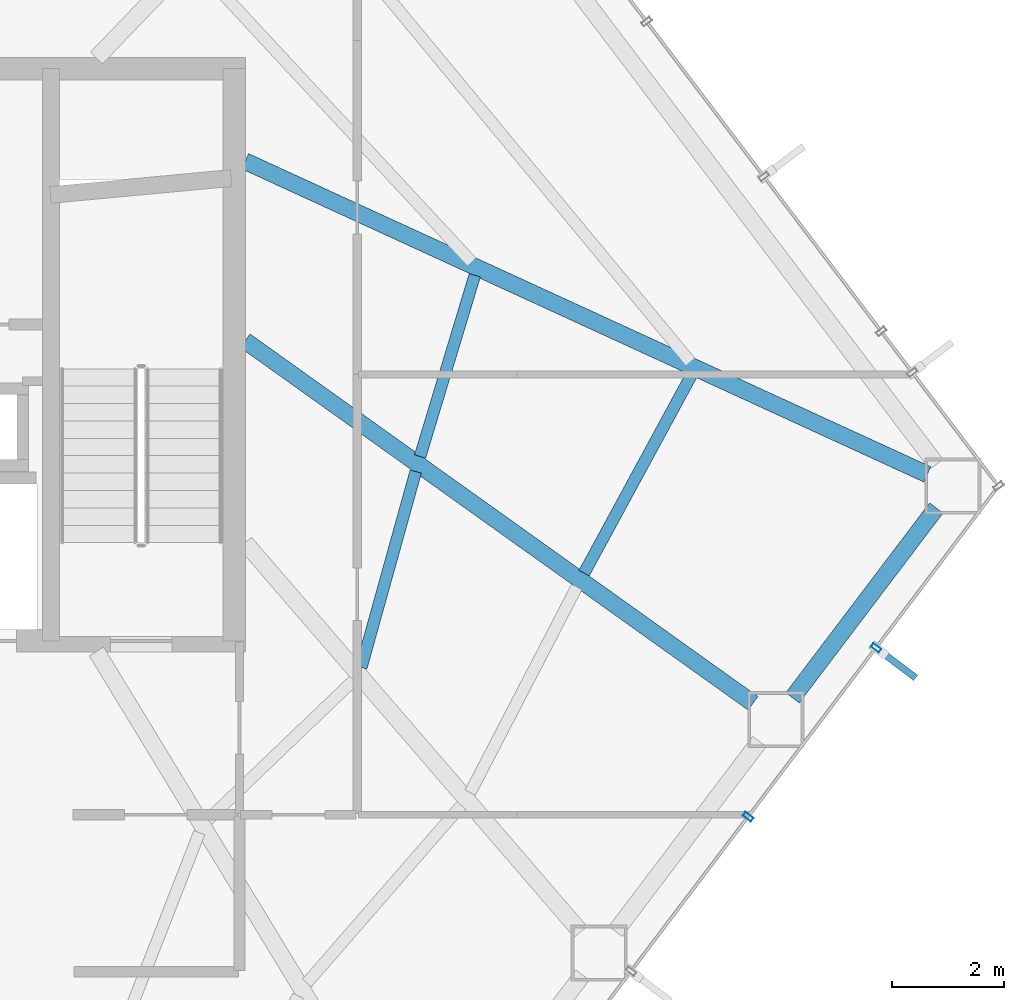
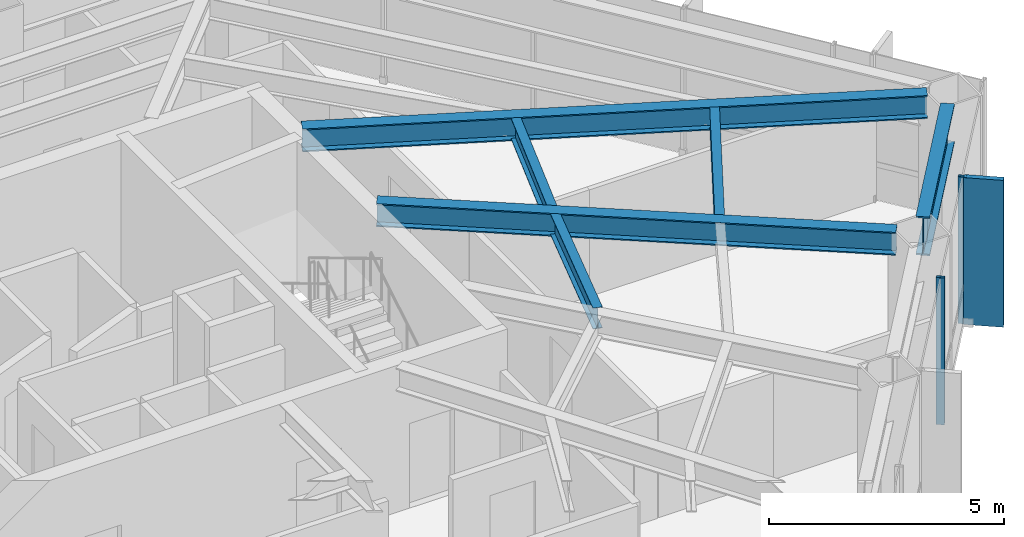
# One storey, part 15 of 24: 6 beams, 3 members, 1 element without a shape of its own.
"""IFC4 building model written with IfcOpenShell, lengths in metres."""

from ifc_helpers import new_model, si_unit, direction, frame, origin, origin_2d, place, context, subcontext, project, spatial, rectangle, hollow_rectangle, i_section, extrude, material, layer, layer_set, material_profile, profile_set, type_object, element, aggregate, save


model = new_model("IFC4")

# Units and contexts
model_context = context("Model", 3, precision=1e-05, world=origin(), true_north=direction((0.0, 1.0)))
body_context = subcontext(model_context, "Body", "Model", "MODEL_VIEW")
ifc_project = project(units=[si_unit("LENGTHUNIT", "METRE"), si_unit("AREAUNIT", "SQUARE_METRE"), si_unit("VOLUMEUNIT", "CUBIC_METRE"), si_unit("PLANEANGLEUNIT", "RADIAN"), si_unit("MASSUNIT", "GRAM", prefix="KILO")], contexts=[model_context])

# Site, building, storey
site_placement = place(None, origin())
site = spatial("IfcSite", under=ifc_project, at=site_placement, CompositionType="ELEMENT")
building_placement = place(site_placement, origin())
building = spatial("IfcBuilding", under=site, at=building_placement, Name="Zarrinselat Tower", CompositionType="ELEMENT")
storey_placement = place(building_placement, frame((0.0, 0.0, 64.260009765625)))
storey = spatial("IfcBuildingStorey", under=building, at=storey_placement, Name="L15", CompositionType="ELEMENT", Elevation=64.260009765625)

# Beams
ifc_material_1 = material(Name="Steel S355J2", Category="steel")
ifc_material_profile_1 = material_profile(ifc_material_1, i_section(OverallWidth=0.300048828125, OverallDepth=0.60009765625, WebThickness=0.015380859375, FlangeThickness=0.030029296875, at=origin_2d()), Name="HEB 600")
ifc_profile_set_1 = profile_set([ifc_material_profile_1], Name="Steel S355J2")
beam_type_1 = type_object("IfcBeamType", Name="BM-HEB600", PredefinedType="BEAM", material=ifc_profile_set_1)
beam_1_placement = place(storey_placement, frame((48.449951171875, 38.60009765625, 3.52001953125), z_axis=(0.813932118298, -0.580959987266, 0.0), x_axis=(0.580959987266, 0.813932118298, 0.0)))
element("IfcBeam", 1, at=beam_1_placement, inside=storey, type_object=beam_type_1, Name="L15 Radial Primary Girder RG14", PredefinedType="BEAM", context=body_context, shape_type="SweptSolid", body=[
    extrude(i_section(OverallWidth=0.300048828125, OverallDepth=0.60009765625, WebThickness=0.015380859375, FlangeThickness=0.030029296875, at=origin_2d()), origin(), (0.0, 0.0, 1.0), 11.125),
])
beam_2_placement = place(storey_placement, frame((48.449951171875, 41.800048828125, 3.52001953125), z_axis=(0.908819339595, -0.417189894386, 0.0), x_axis=(0.417189894386, 0.908819339595, 0.0)))
element("IfcBeam", 2, at=beam_2_placement, inside=storey, type_object=beam_type_1, Name="L15 Radial Primary Girder RG15", PredefinedType="BEAM", context=body_context, shape_type="SweptSolid", body=[
    extrude(i_section(OverallWidth=0.300048828125, OverallDepth=0.60009765625, WebThickness=0.015380859375, FlangeThickness=0.030029296875, at=origin_2d()), origin(), (0.0, 0.0, 1.0), 13.38134765625),
])
ifc_material_2 = material(Name="Steel S460M", Category="steel")
ifc_material_profile_2 = material_profile(ifc_material_2, i_section(OverallWidth=0.302001953125, OverallDepth=1.008056640625, WebThickness=0.02099609375, FlangeThickness=0.0400390625, at=origin_2d()), Name="HEM 1000")
ifc_profile_set_2 = profile_set([ifc_material_profile_2], Name="Steel S460M")
beam_type_2 = type_object("IfcBeamType", Name="BM-HEM1000", PredefinedType="BEAM", material=ifc_profile_set_2)
beam_3_placement = place(storey_placement, frame((58.208251953125, 32.234375, 3.31591796875), z_axis=(0.603856581056, 0.797092986743, 0.0), x_axis=(-0.797092986743, 0.603856581056, 0.0)))
element("IfcBeam", 3, at=beam_3_placement, inside=storey, type_object=beam_type_2, Name="L15 Perimeter Spandrel Girder SP14", PredefinedType="BEAM", context=body_context, shape_type="SweptSolid", body=[
    extrude(i_section(OverallWidth=0.302001953125, OverallDepth=1.008056640625, WebThickness=0.02099609375, FlangeThickness=0.0400390625, at=origin_2d()), origin(), (0.0, 0.0, 1.0), 4.246337890625),
])
ifc_material_3 = material(Name="Steel S355J2", Category="steel")
ifc_material_profile_3 = material_profile(ifc_material_3, i_section(OverallWidth=0.2099609375, OverallDepth=0.550048828125, WebThickness=0.010986328125, FlangeThickness=0.01708984375, at=origin_2d()), Name="IPE 550")
ifc_profile_set_3 = profile_set([ifc_material_profile_3], Name="Steel S355J2")
beam_type_3 = type_object("IfcBeamType", Name="BM-IPE550", PredefinedType="JOIST", material=ifc_profile_set_3)
beam_4_placement = place(storey_placement, frame((50.521240234375, 32.776123046875, 3.544921875), z_axis=(0.26767513733, 0.963509221988, 0.0), x_axis=(-0.963509221988, 0.26767513733, 0.0)))
element("IfcBeam", 4, at=beam_4_placement, inside=storey, type_object=beam_type_3, Name="L15 Composite Floor Joist 4-2", PredefinedType="JOIST", context=body_context, shape_type="SweptSolid", body=[
    extrude(i_section(OverallWidth=0.2099609375, OverallDepth=0.550048828125, WebThickness=0.010986328125, FlangeThickness=0.01708984375, at=origin_2d()), origin(), (0.0, 0.0, 1.0), 3.623779296875),
])
beam_5_placement = place(storey_placement, frame((54.492919921875, 34.45751953125, 3.544921875), z_axis=(0.476621493548, 0.879108612111, 0.0), x_axis=(-0.879108612111, 0.476621493548, 0.0)))
element("IfcBeam", 5, at=beam_5_placement, inside=storey, type_object=beam_type_3, Name="L15 Composite Floor Joist 5-1", PredefinedType="JOIST", context=body_context, shape_type="SweptSolid", body=[
    extrude(i_section(OverallWidth=0.2099609375, OverallDepth=0.550048828125, WebThickness=0.010986328125, FlangeThickness=0.01708984375, at=origin_2d()), origin(), (0.0, 0.0, 1.0), 4.02099609375),
])
beam_6_placement = place(storey_placement, frame((51.569091796875, 36.53662109375, 3.544921875), z_axis=(0.288887020651, 0.957363196128, 0.0), x_axis=(-0.957363196128, 0.288887020651, 0.0)))
element("IfcBeam", 6, at=beam_6_placement, inside=storey, type_object=beam_type_3, Name="L15 Composite Floor Joist 5-2", PredefinedType="JOIST", context=body_context, shape_type="SweptSolid", body=[
    extrude(i_section(OverallWidth=0.2099609375, OverallDepth=0.550048828125, WebThickness=0.010986328125, FlangeThickness=0.01708984375, at=origin_2d()), origin(), (0.0, 0.0, 1.0), 3.375244140625),
])

# Curtain wall, members
ifc_material_4 = material(Name="Extruded Aluminium Alloy EN AW-6063 T6", Category="aluminium")
ifc_layer = layer(ifc_material_4, 0.18505859375)
ifc_layer_set = layer_set([ifc_layer], Name="Extruded Aluminium Alloy EN AW-6063 T6")
curtain_wall_type = type_object("IfcCurtainWallType", Name="CWS-OFF", PredefinedType="NOTDEFINED", material=ifc_layer_set)
curtain_wall_placement = place(storey_placement, origin())
curtain_wall = element("IfcCurtainWall", 7, at=curtain_wall_placement, inside=storey, type_object=curtain_wall_type, Name="L15 Unitised Curtain Wall CW-L15-E04", PredefinedType="NOTDEFINED")
ifc_material_5 = material(Name="Extruded Aluminium Alloy EN AW-6063 T6", Category="aluminium")
ifc_material_profile_4 = material_profile(ifc_material_5, hollow_rectangle(XDim=0.080078125, YDim=0.179931640625, WallThickness=0.0048828125, at=origin_2d()), Name="RHS 180x80x5")
ifc_profile_set_4 = profile_set([ifc_material_profile_4], Name="Extruded Aluminium Alloy EN AW-6063 T6")
member_type_1 = type_object("IfcMemberType", Name="MEM-CW-MUL", PredefinedType="MULLION", material=ifc_profile_set_4)
member_1_placement = place(storey_placement, frame((59.697998046875, 33.12451171875, 0.0), z_axis=(0.0, 0.0, 1.0), x_axis=(-0.603859195889, -0.797091005808, 0.0)))
member_1 = element("IfcMember", 8, at=member_1_placement, type_object=member_type_1, Name="CW-L15-E04 Mullion 1", PredefinedType="MULLION", context=body_context, shape_type="SweptSolid", body=[
    extrude(hollow_rectangle(XDim=0.080078125, YDim=0.179931640625, WallThickness=0.0048828125, at=origin_2d()), origin(), (0.0, 0.0, 1.0), 3.820068359375),
])
member_2_placement = place(storey_placement, frame((57.417236328125, 30.11376953125, 0.0), z_axis=(0.0, 0.0, 1.0), x_axis=(-0.603859195889, -0.797091005808, 0.0)))
member_2 = element("IfcMember", 9, at=member_2_placement, type_object=member_type_1, Name="CW-L15-E04 Mullion 2", PredefinedType="MULLION", context=body_context, shape_type="SweptSolid", body=[
    extrude(hollow_rectangle(XDim=0.080078125, YDim=0.179931640625, WallThickness=0.0048828125, at=origin_2d()), origin(), (0.0, 0.0, 1.0), 3.820068359375),
])
ifc_material_6 = material(Name="Honed Cream Travertine Stone", Category="masonry")
ifc_material_profile_5 = material_profile(ifc_material_6, rectangle(XDim=0.1201171875, YDim=0.85009765625, at=origin_2d()), Name="FIN 850x120")
ifc_profile_set_5 = profile_set([ifc_material_profile_5], Name="Honed Cream Travertine Stone")
member_type_2 = type_object("IfcMemberType", Name="MEM-STONE-FIN", PredefinedType="USERDEFINED", material=ifc_profile_set_5)
member_3_placement = place(storey_placement, frame((60.064697265625, 32.8466796875, 0.0), z_axis=(0.0, 0.0, 1.0), x_axis=(-0.603859195889, -0.797091005808, 0.0)))
member_3 = element("IfcMember", 10, at=member_3_placement, type_object=member_type_2, Name="L15 Stone Shading Fin CW-L15-E04-01", ObjectType="FIN", PredefinedType="USERDEFINED", context=body_context, shape_type="SweptSolid", body=[
    extrude(rectangle(XDim=0.1201171875, YDim=0.85009765625, at=origin_2d()), origin(), (0.0, 0.0, 1.0), 3.820068359375),
])
aggregate(curtain_wall, [member_1, member_3, member_2])

save(model, "model.ifc")
